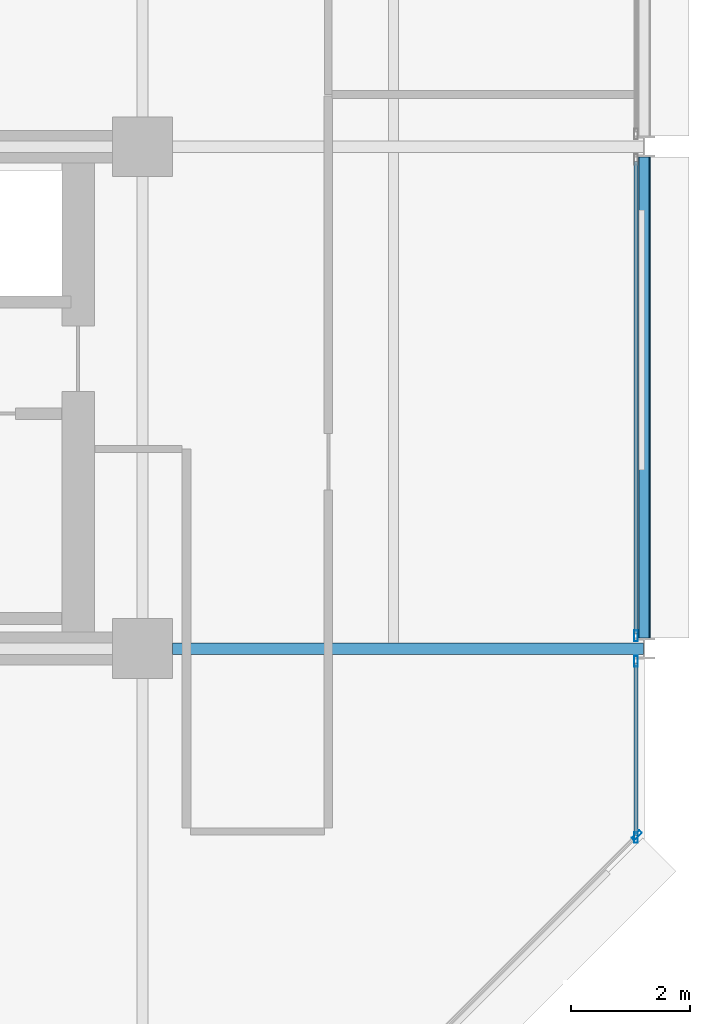
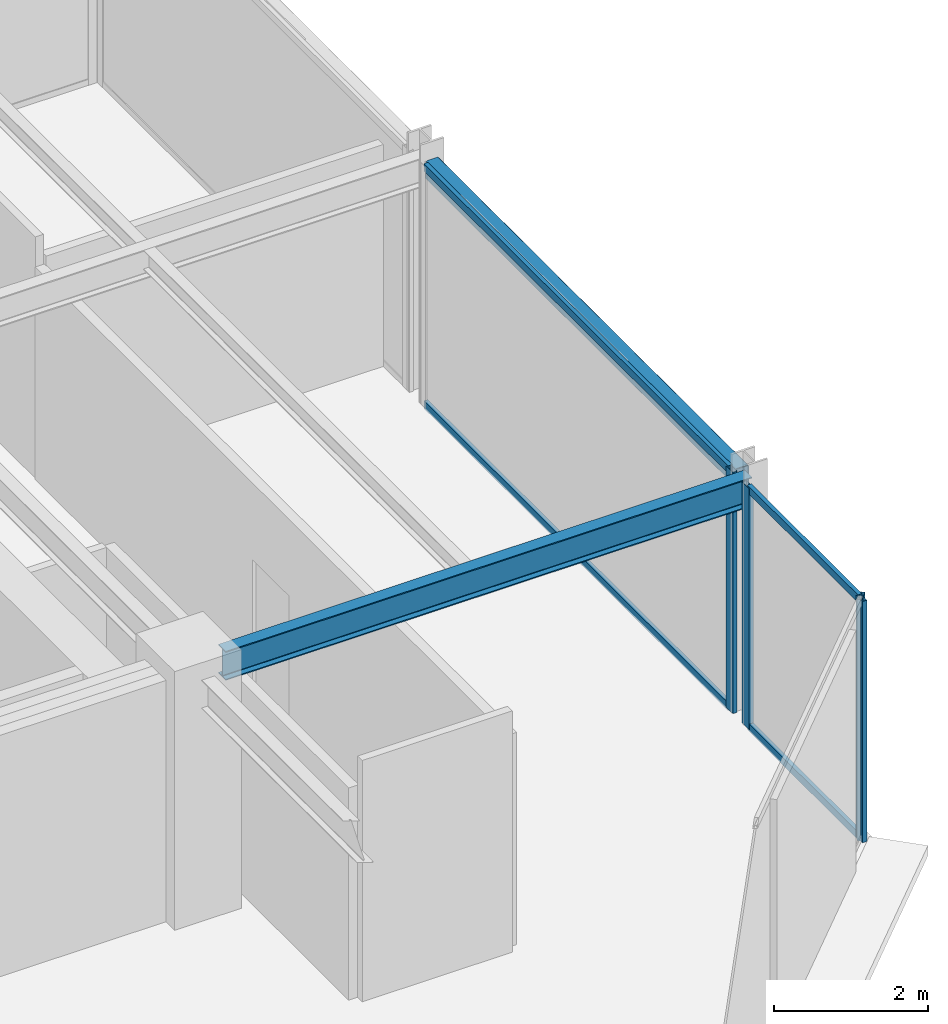
# One storey, part 13 of 29: 8 members, 2 beams, 3 elements without a shape of their own.
"""IFC4 building model written with IfcOpenShell, lengths in metres."""

from ifc_helpers import new_model, si_unit, direction, frame, origin, origin_2d, place, context, subcontext, project, spatial, hollow_rectangle, i_section, extrude, material, layer, layer_set, material_profile, profile_set, type_object, element, aggregate, save


model = new_model("IFC4")

# Units and contexts
model_context = context("Model", 3, precision=1e-05, world=origin(), true_north=direction((0.0, 1.0)))
body_context = subcontext(model_context, "Body", "Model", "MODEL_VIEW")
ifc_project = project(units=[si_unit("LENGTHUNIT", "METRE"), si_unit("AREAUNIT", "SQUARE_METRE"), si_unit("VOLUMEUNIT", "CUBIC_METRE"), si_unit("PLANEANGLEUNIT", "RADIAN"), si_unit("MASSUNIT", "GRAM", prefix="KILO")], contexts=[model_context])

# Site, building, storey
site_placement = place(None, origin())
site = spatial("IfcSite", under=ifc_project, at=site_placement, CompositionType="ELEMENT")
building_placement = place(site_placement, origin())
building = spatial("IfcBuilding", under=site, at=building_placement, Name="Nerrivon Quay Data Exchange", CompositionType="ELEMENT")
storey_placement = place(building_placement, frame((0.0, 0.0, 204.199951171875)))
storey = spatial("IfcBuildingStorey", under=building, at=storey_placement, Name="L48", CompositionType="ELEMENT", Elevation=204.199951171875)

# Beams
ifc_material_1 = material(Name="Steel Grade 350", Category="steel")
ifc_material_profile_1 = material_profile(ifc_material_1, i_section(OverallWidth=0.19091796875, OverallDepth=0.4599609375, WebThickness=0.010009765625, FlangeThickness=0.01611328125, FilletRadius=0.011474609375, at=origin_2d()), Name="460UB82.1")
ifc_profile_set_1 = profile_set([ifc_material_profile_1], Name="Steel Grade 350")
beam_type_1 = type_object("IfcBeamType", Name="BM-G5-460UB82", PredefinedType="BEAM", material=ifc_profile_set_1)
beam_1_placement = place(storey_placement, frame((34.10009765625, 8.39990234375, 3.594970703125), z_axis=(1.0, 0.0, 0.0), x_axis=(0.0, 1.0, 0.0)))
element("IfcBeam", 1, at=beam_1_placement, inside=storey, type_object=beam_type_1, Name="L48 EW Girder Y=8.4 (33.6..42.0)", PredefinedType="BEAM", context=body_context, shape_type="SweptSolid", body=[
    extrude(i_section(OverallWidth=0.19091796875, OverallDepth=0.4599609375, WebThickness=0.010009765625, FlangeThickness=0.01611328125, FilletRadius=0.011474609375, at=origin_2d()), origin(), (0.0, 0.0, 1.0), 7.889892578125),
])
ifc_material_2 = material(Name="Steel Grade C350L0 (350 MPa)", Category="steel")
ifc_material_profile_2 = material_profile(ifc_material_2, hollow_rectangle(XDim=0.199951171875, YDim=0.300048828125, WallThickness=0.012451171875, InnerFilletRadius=0.018798828125, OuterFilletRadius=0.03125, at=origin_2d()), Name="300x200x12.5RHS")
ifc_profile_set_2 = profile_set([ifc_material_profile_2], Name="Steel Grade C350L0 (350 MPa)")
beam_type_2 = type_object("IfcBeamType", Name="BM-SP3-300x200RHS", PredefinedType="SPANDREL", material=ifc_profile_set_2)
beam_2_placement = place(storey_placement, frame((42.0, 8.574951171875, 3.675048828125), z_axis=(0.0, 1.0, 0.0), x_axis=(-1.0, 0.0, 0.0)))
element("IfcBeam", 2, at=beam_2_placement, inside=storey, type_object=beam_type_2, Name="L48 NS Girder X=42.0 (8.4..16.8)", PredefinedType="SPANDREL", context=body_context, shape_type="SweptSolid", body=[
    extrude(hollow_rectangle(XDim=0.199951171875, YDim=0.300048828125, WallThickness=0.012451171875, InnerFilletRadius=0.018798828125, OuterFilletRadius=0.03125, at=origin_2d()), origin(), (0.0, 0.0, 1.0), 8.050048828125),
])

# Curtain wall, member
ifc_material_3 = material(Name="Anodised aluminium 6063-T6", Category="aluminium")
ifc_layer = layer(ifc_material_3, 0.195068359375)
ifc_layer_set = layer_set([ifc_layer], Name="Anodised aluminium 6063-T6")
curtain_wall_type = type_object("IfcCurtainWallType", Name="CW-SYS-06", PredefinedType="NOTDEFINED", material=ifc_layer_set)
curtain_wall_1_placement = place(storey_placement, origin())
curtain_wall_1 = element("IfcCurtainWall", 3, at=curtain_wall_1_placement, inside=storey, type_object=curtain_wall_type, Name="L48 Unitised Curtain Wall 19", PredefinedType="NOTDEFINED")
ifc_material_profile_3 = material_profile(ifc_material_3, hollow_rectangle(XDim=0.06494140625, YDim=0.179931640625, WallThickness=0.00341796875, at=origin_2d()), Name="ALU-MULL-180x65")
ifc_profile_set_3 = profile_set([ifc_material_profile_3], Name="Anodised aluminium 6063-T6")
member_type_1 = type_object("IfcMemberType", Name="CWM-180x65", PredefinedType="MULLION", material=ifc_profile_set_3)
member_1_placement = place(storey_placement, frame((41.860107421875, 8.612548828125, 0.0), z_axis=(0.0, 0.0, 1.0), x_axis=(1.0, 0.0, 0.0)))
member_1 = element("IfcMember", 4, at=member_1_placement, type_object=member_type_1, Name="CW06 mullion 2", PredefinedType="MULLION", context=body_context, shape_type="SweptSolid", body=[
    extrude(hollow_rectangle(XDim=0.06494140625, YDim=0.179931640625, WallThickness=0.00341796875, at=origin_2d()), origin(), (0.0, 0.0, 1.0), 3.824951171875),
])

# Curtain wall, members
curtain_wall_2_placement = place(storey_placement, origin())
curtain_wall_2 = element("IfcCurtainWall", 5, at=curtain_wall_2_placement, inside=storey, type_object=curtain_wall_type, Name="L48 Unitised Curtain Wall 20", PredefinedType="NOTDEFINED")
member_2_placement = place(storey_placement, frame((41.860107421875, 8.1875, 0.0), z_axis=(0.0, 0.0, 1.0), x_axis=(1.0, 0.0, 0.0)))
member_2 = element("IfcMember", 6, at=member_2_placement, type_object=member_type_1, Name="CW06 mullion 1", PredefinedType="MULLION", context=body_context, shape_type="SweptSolid", body=[
    extrude(hollow_rectangle(XDim=0.06494140625, YDim=0.179931640625, WallThickness=0.00341796875, at=origin_2d()), origin(), (0.0, 0.0, 1.0), 3.824951171875),
])
member_3_placement = place(storey_placement, frame((41.860107421875, 5.237548828125, 0.0), z_axis=(0.0, 0.0, 1.0), x_axis=(1.0, 0.0, 0.0)))
member_3 = element("IfcMember", 7, at=member_3_placement, type_object=member_type_1, Name="CW06 mullion 2", PredefinedType="MULLION", context=body_context, shape_type="SweptSolid", body=[
    extrude(hollow_rectangle(XDim=0.06494140625, YDim=0.179931640625, WallThickness=0.00341796875, at=origin_2d()), origin(), (0.0, 0.0, 1.0), 3.824951171875),
])

# Curtain wall, member
curtain_wall_3_placement = place(storey_placement, origin())
curtain_wall_3 = element("IfcCurtainWall", 8, at=curtain_wall_3_placement, inside=storey, type_object=curtain_wall_type, Name="L48 Unitised Curtain Wall 21", PredefinedType="NOTDEFINED")
member_4_placement = place(storey_placement, frame((41.87451171875, 5.2724609375, 0.0), z_axis=(0.0, 0.0, 1.0), x_axis=(0.707106781187, -0.707106781187, 0.0)))
member_4 = element("IfcMember", 9, at=member_4_placement, type_object=member_type_1, Name="CW06 mullion 1", PredefinedType="MULLION", context=body_context, shape_type="SweptSolid", body=[
    extrude(hollow_rectangle(XDim=0.06494140625, YDim=0.179931640625, WallThickness=0.00341796875, at=origin_2d()), origin(), (0.0, 0.0, 1.0), 3.824951171875),
])
aggregate(curtain_wall_3, [member_4])

# Member
ifc_material_profile_4 = material_profile(ifc_material_3, hollow_rectangle(XDim=0.06005859375, YDim=0.1201171875, WallThickness=0.003173828125, at=origin_2d()), Name="ALU-TRAN-120x60")
ifc_profile_set_4 = profile_set([ifc_material_profile_4], Name="Anodised aluminium 6063-T6")
member_type_2 = type_object("IfcMemberType", Name="CWT-120x60", PredefinedType="USERDEFINED", material=ifc_profile_set_4)
member_5_placement = place(storey_placement, frame((41.860107421875, 16.550048828125, 0.032470703125), z_axis=(0.0, -1.0, 0.0), x_axis=(1.0, 0.0, 0.0)))
member_5 = element("IfcMember", 10, at=member_5_placement, type_object=member_type_2, Name="CW06 transom 1.1", ObjectType="TRANSOM", PredefinedType="USERDEFINED", context=body_context, shape_type="SweptSolid", body=[
    extrude(hollow_rectangle(XDim=0.06005859375, YDim=0.1201171875, WallThickness=0.003173828125, at=origin_2d()), origin(), (0.0, 0.0, 1.0), 7.900146484375),
])

member_6_placement = place(storey_placement, frame((41.860107421875, 16.550048828125, 3.79248046875), z_axis=(0.0, -1.0, 0.0), x_axis=(1.0, 0.0, 0.0)))
member_6 = element("IfcMember", 11, at=member_6_placement, type_object=member_type_2, Name="CW06 transom 1.2", ObjectType="TRANSOM", PredefinedType="USERDEFINED", context=body_context, shape_type="SweptSolid", body=[
    extrude(hollow_rectangle(XDim=0.06005859375, YDim=0.1201171875, WallThickness=0.003173828125, at=origin_2d()), origin(), (0.0, 0.0, 1.0), 7.900146484375),
])

aggregate(curtain_wall_1, [member_1, member_5, member_6])

member_7_placement = place(storey_placement, frame((41.860107421875, 8.14990234375, 0.032470703125), z_axis=(0.0, -1.0, 0.0), x_axis=(1.0, 0.0, 0.0)))
member_7 = element("IfcMember", 12, at=member_7_placement, type_object=member_type_2, Name="CW06 transom 1.1", ObjectType="TRANSOM", PredefinedType="USERDEFINED", context=body_context, shape_type="SweptSolid", body=[
    extrude(hollow_rectangle(XDim=0.06005859375, YDim=0.1201171875, WallThickness=0.003173828125, at=origin_2d()), origin(), (0.0, 0.0, 1.0), 2.875),
])

member_8_placement = place(storey_placement, frame((41.860107421875, 8.14990234375, 3.79248046875), z_axis=(0.0, -1.0, 0.0), x_axis=(1.0, 0.0, 0.0)))
member_8 = element("IfcMember", 13, at=member_8_placement, type_object=member_type_2, Name="CW06 transom 1.2", ObjectType="TRANSOM", PredefinedType="USERDEFINED", context=body_context, shape_type="SweptSolid", body=[
    extrude(hollow_rectangle(XDim=0.06005859375, YDim=0.1201171875, WallThickness=0.003173828125, at=origin_2d()), origin(), (0.0, 0.0, 1.0), 2.875),
])

aggregate(curtain_wall_2, [member_2, member_3, member_7, member_8])

save(model, "model.ifc")
